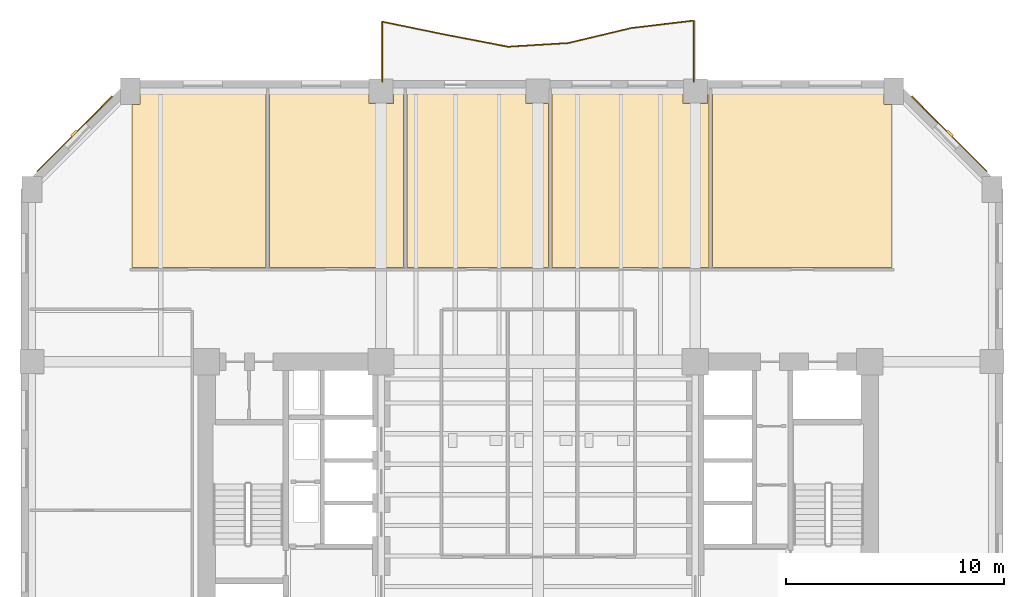
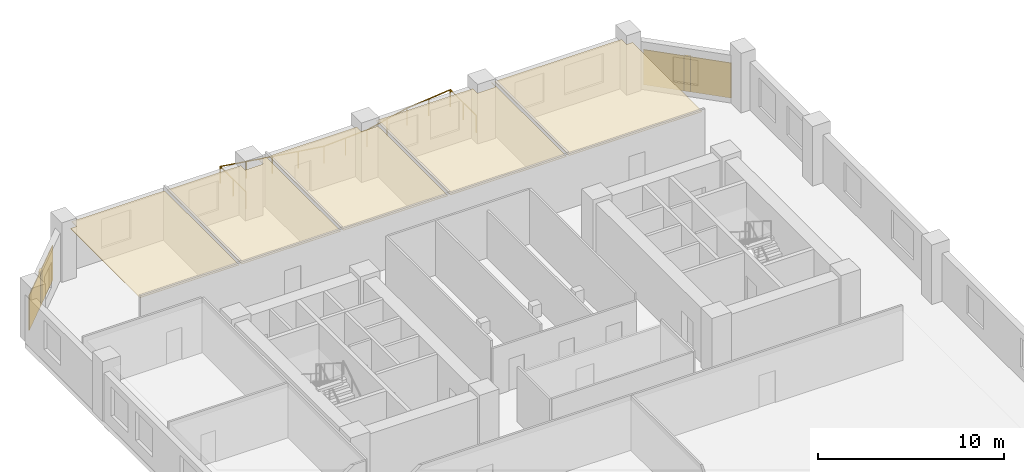
# One storey, part 9 of 10: 7 coverings, 2 shading devices, 1 railing.
"""IFC4 building model written with IfcOpenShell, lengths in metres."""

from ifc_helpers import new_model, si_unit, direction, frame, origin, origin_2d, place, context, subcontext, project, spatial, polyline, rectangle, circle, outline, extrude, material, layer, layer_set, type_object, element, save


model = new_model("IFC4")

# Units and contexts
model_context = context("Model", 3, precision=1e-05, world=origin(), true_north=direction((0.0, 1.0)))
body_context = subcontext(model_context, "Body", "Model", "MODEL_VIEW")
ifc_project = project(units=[si_unit("LENGTHUNIT", "METRE"), si_unit("AREAUNIT", "SQUARE_METRE"), si_unit("VOLUMEUNIT", "CUBIC_METRE"), si_unit("PLANEANGLEUNIT", "RADIAN"), si_unit("MASSUNIT", "GRAM", prefix="KILO")], contexts=[model_context])

# Site, building, storey
site_placement = place(None, origin())
site = spatial("IfcSite", under=ifc_project, at=site_placement, CompositionType="ELEMENT")
building_placement = place(site_placement, origin())
building = spatial("IfcBuilding", under=site, at=building_placement, Name="Kranthara Brick Stack", CompositionType="ELEMENT")
storey_placement = place(building_placement, frame((0.0, 0.0, 32.10009765625)))
storey = spatial("IfcBuildingStorey", under=building, at=storey_placement, Name="L07", CompositionType="ELEMENT", Elevation=32.10009765625)

# Coverings
ifc_material_1 = material(Name="Perforated mineral-fibre acoustic ceiling tile", Category="other")
ifc_layer_1 = layer(ifc_material_1, 0.02490234375)
ifc_layer_set_1 = layer_set([ifc_layer_1], Name="Perforated mineral-fibre acoustic ceiling tile")
covering_type_1 = type_object("IfcCoveringType", Name="COV-CEIL-ACOUSTIC", PredefinedType="CEILING", material=ifc_layer_set_1)
covering_1_placement = place(storey_placement, frame((0.0, 0.0, 3.329833984375)))
element("IfcCovering", 1, at=covering_1_placement, inside=storey, type_object=covering_type_1, Name="L07 L07 Executive Cellular Office 1 Acoustic Ceiling", PredefinedType="CEILING", context=body_context, shape_type="SweptSolid", body=[
    extrude(outline(polyline([(15.52001953125, 45.929931640625), (15.52001953125, 37.919921875), (9.3798828125, 37.919921875), (9.3798828125, 45.389892578125), (9.760009765625, 45.389892578125), (9.760009765625, 45.929931640625), (15.52001953125, 45.929931640625)])), origin(), (0.0, 0.0, 1.0), 0.025146484375),
])
covering_2_placement = place(storey_placement, frame((0.0, 0.0, 3.329833984375)))
element("IfcCovering", 2, at=covering_2_placement, inside=storey, type_object=covering_type_1, Name="L07 L07 Executive Cellular Office 2 Acoustic Ceiling", PredefinedType="CEILING", context=body_context, shape_type="SweptSolid", body=[
    extrude(outline(polyline([(21.820068359375, 45.929931640625), (21.820068359375, 37.919921875), (15.679931640625, 37.919921875), (15.679931640625, 45.929931640625), (20.239990234375, 45.929931640625), (20.239990234375, 45.43994140625), (21.360107421875, 45.43994140625), (21.360107421875, 45.929931640625), (21.820068359375, 45.929931640625)])), origin(), (0.0, 0.0, 1.0), 0.025146484375),
])
covering_3_placement = place(storey_placement, frame((0.0, 0.0, 3.329833984375)))
element("IfcCovering", 3, at=covering_3_placement, inside=storey, type_object=covering_type_1, Name="L07 L07 Executive Cellular Office 3 Acoustic Ceiling", PredefinedType="CEILING", context=body_context, shape_type="SweptSolid", body=[
    extrude(outline(polyline([(28.469970703125, 37.919921875), (21.97998046875, 37.919921875), (21.97998046875, 45.929931640625), (27.43994140625, 45.929931640625), (27.43994140625, 45.43994140625), (28.469970703125, 45.43994140625), (28.469970703125, 37.919921875)])), origin(), (0.0, 0.0, 1.0), 0.025146484375),
])
covering_4_placement = place(storey_placement, frame((0.0, 0.0, 3.329833984375)))
element("IfcCovering", 4, at=covering_4_placement, inside=storey, type_object=covering_type_1, Name="L07 L07 Meeting Room 4 Acoustic Ceiling", PredefinedType="CEILING", context=body_context, shape_type="SweptSolid", body=[
    extrude(outline(polyline([(35.820068359375, 45.929931640625), (35.820068359375, 37.919921875), (28.6298828125, 37.919921875), (28.6298828125, 45.929931640625), (34.639892578125, 45.929931640625), (34.639892578125, 45.43994140625), (35.760009765625, 45.43994140625), (35.760009765625, 45.929931640625), (35.820068359375, 45.929931640625)])), origin(), (0.0, 0.0, 1.0), 0.025146484375),
])
covering_5_placement = place(storey_placement, frame((0.0, 0.0, 3.329833984375)))
element("IfcCovering", 5, at=covering_5_placement, inside=storey, type_object=covering_type_1, Name="L07 L07 Staff Pantry 5 Acoustic Ceiling", PredefinedType="CEILING", context=body_context, shape_type="SweptSolid", body=[
    extrude(outline(polyline([(44.219970703125, 37.919921875), (35.97998046875, 37.919921875), (35.97998046875, 45.929931640625), (43.840087890625, 45.929931640625), (43.840087890625, 45.389892578125), (44.219970703125, 45.389892578125), (44.219970703125, 37.919921875)])), origin(), (0.0, 0.0, 1.0), 0.025146484375),
])
ifc_material_2 = material(Name="Warm buff kiln-fired brick slip rainscreen", Category="masonry")
ifc_layer_2 = layer(ifc_material_2, 0.044921875)
ifc_layer_set_2 = layer_set([ifc_layer_2], Name="Warm buff kiln-fired brick slip rainscreen")
covering_type_2 = type_object("IfcCoveringType", Name="COV-CLAD-BRICK", PredefinedType="CLADDING", material=ifc_layer_set_2)
for number, where, z_axis, x_axis, name in (
    (6, (6.756591796875, 44.04345703125, 0.0498046875), (0.0, 0.0, 1.0), (0.707106781187, 0.707106781187, 0.0), "L07 Chamfer Brick Rainscreen Cladding NW"),
    (7, (46.843505859375, 44.04345703125, 0.0498046875), (0.0, 0.0, 1.0), (0.707106781187, -0.707106781187, 0.0), "L07 Chamfer Brick Rainscreen Cladding NE"),
):
    element("IfcCovering", number, at=place(storey_placement, frame(where, z_axis=z_axis, x_axis=x_axis)), inside=storey, type_object=covering_type_2, Name=name, PredefinedType="CLADDING", context=body_context, shape_type="SweptSolid", body=[
        extrude(rectangle(XDim=4.876953125, YDim=0.044921875, at=origin_2d()), origin(), (0.0, 0.0, 1.0), 2.300048828125),
    ])

# Railing
ifc_material_3 = material(Name="Bronze anodised aluminium and laminated glass balustrade", Category="aluminium")
railing_type = type_object("IfcRailingType", Name="RL-BALC-1120", PredefinedType="BALUSTRADE", material=ifc_material_3)
railing_placement = place(storey_placement, frame((20.860107421875, 46.43994140625, 0.0)))
element("IfcRailing", 8, at=railing_placement, inside=storey, type_object=railing_type, Name="L07 North Rippling Balcony Balustrade", PredefinedType="BALUSTRADE", context=body_context, shape_type="SweptSolid", body=[
    extrude(circle(Radius=0.02392578125, at=origin_2d()), frame((0.0, 0.0, 1.09619140625), z_axis=(-0.000266595565, 0.999999964463, 0.0), x_axis=(-0.999999964463, -0.000266595565, 0.0)), (0.0, 0.0, 1.0), 2.747314453125),
    extrude(circle(Radius=0.02392578125, at=origin_2d()), frame((-0.000732421875, 2.747314453125, 1.09619140625), z_axis=(0.979489825591, -0.201493626607, 0.0), x_axis=(0.201493626607, 0.979489825591, 0.0)), (0.0, 0.0, 1.0), 2.940673828125),
    extrude(circle(Radius=0.02392578125, at=origin_2d()), frame((2.879638671875, 2.15478515625, 1.09619140625), z_axis=(0.982016539225, -0.188794906414, 0.0), x_axis=(0.188794906414, 0.982016539225, 0.0)), (0.0, 0.0, 1.0), 2.932861328125),
    extrude(circle(Radius=0.02392578125, at=origin_2d()), frame((5.759765625, 1.60107421875, 1.09619140625), z_axis=(0.998142883673, 0.060916202878, 0.0), x_axis=(-0.060916202878, 0.998142883673, 0.0)), (0.0, 0.0, 1.0), 2.765380859375),
    extrude(circle(Radius=0.02392578125, at=origin_2d()), frame((8.52001953125, 1.76953125, 1.09619140625), z_axis=(0.972704406869, 0.232047703842, 0.0), x_axis=(-0.232047703842, 0.972704406869, 0.0)), (0.0, 0.0, 1.0), 2.961669921875),
    extrude(circle(Radius=0.02392578125, at=origin_2d()), frame((11.40087890625, 2.456787109375, 1.09619140625), z_axis=(0.993029391631, 0.117866990105, 0.0), x_axis=(-0.117866990105, 0.993029391631, 0.0)), (0.0, 0.0, 1.0), 2.89990234375),
    extrude(circle(Radius=0.02392578125, at=origin_2d()), frame((14.280517578125, 2.798583984375, 1.09619140625), z_axis=(-0.000261711585, -0.999999965754, 0.0), x_axis=(0.999999965754, -0.000261711585, 0.0)), (0.0, 0.0, 1.0), 2.798583984375),
    extrude(circle(Radius=0.02099609375, at=origin_2d()), origin(), (0.0, 0.0, 1.0), 1.072021484375),
    extrude(circle(Radius=0.02099609375, at=origin_2d()), frame((-0.00048828125, 1.37353515625, 0.0)), (0.0, 0.0, 1.0), 1.072021484375),
    extrude(circle(Radius=0.02099609375, at=origin_2d()), frame((-0.000732421875, 2.747314453125, 0.0)), (0.0, 0.0, 1.0), 1.072021484375),
    extrude(circle(Radius=0.02099609375, at=origin_2d()), frame((1.439453125, 2.451171875, 0.0)), (0.0, 0.0, 1.0), 1.072021484375),
    extrude(circle(Radius=0.02099609375, at=origin_2d()), frame((2.879638671875, 2.15478515625, 0.0)), (0.0, 0.0, 1.0), 1.072021484375),
    extrude(circle(Radius=0.02099609375, at=origin_2d()), frame((4.31982421875, 1.8779296875, 0.0)), (0.0, 0.0, 1.0), 1.072021484375),
    extrude(circle(Radius=0.02099609375, at=origin_2d()), frame((5.759765625, 1.60107421875, 0.0)), (0.0, 0.0, 1.0), 1.072021484375),
    extrude(circle(Radius=0.02099609375, at=origin_2d()), frame((7.139892578125, 1.685302734375, 0.0)), (0.0, 0.0, 1.0), 1.072021484375),
    extrude(circle(Radius=0.02099609375, at=origin_2d()), frame((8.52001953125, 1.76953125, 0.0)), (0.0, 0.0, 1.0), 1.072021484375),
    extrude(circle(Radius=0.02099609375, at=origin_2d()), frame((9.96044921875, 2.11328125, 0.0)), (0.0, 0.0, 1.0), 1.072021484375),
    extrude(circle(Radius=0.02099609375, at=origin_2d()), frame((11.40087890625, 2.456787109375, 0.0)), (0.0, 0.0, 1.0), 1.072021484375),
    extrude(circle(Radius=0.02099609375, at=origin_2d()), frame((12.8408203125, 2.627685546875, 0.0)), (0.0, 0.0, 1.0), 1.072021484375),
    extrude(circle(Radius=0.02099609375, at=origin_2d()), frame((14.280517578125, 2.798583984375, 0.0)), (0.0, 0.0, 1.0), 1.072021484375),
    extrude(circle(Radius=0.02099609375, at=origin_2d()), frame((14.2802734375, 1.3994140625, 0.0)), (0.0, 0.0, 1.0), 1.072021484375),
    extrude(circle(Radius=0.02099609375, at=origin_2d()), frame((14.27978515625, 0.0, 0.0)), (0.0, 0.0, 1.0), 1.072021484375),
])

# Shading devices
ifc_material_4 = material(Name="Kiln-fired terracotta aerodynamic wind fin", Category="masonry")
shading_device_type = type_object("IfcShadingDeviceType", Name="SHD-BAFFLE-CORNER", PredefinedType="SHUTTER", material=ifc_material_4)
for number, where, z_axis, x_axis, name in (
    (9, (6.7353515625, 44.064697265625, 0.0498046875), (0.0, 0.0, 1.0), (0.707106781187, 0.707106781187, 0.0), "L07 Chamfer Wind-Baffle Fin NW"),
    (10, (46.86474609375, 44.064697265625, 0.0498046875), (0.0, 0.0, 1.0), (0.707106781187, -0.707106781187, 0.0), "L07 Chamfer Wind-Baffle Fin NE"),
):
    element("IfcShadingDevice", number, at=place(storey_placement, frame(where, z_axis=z_axis, x_axis=x_axis)), inside=storey, type_object=shading_device_type, Name=name, PredefinedType="SHUTTER", context=body_context, shape_type="SweptSolid", body=[
        extrude(rectangle(XDim=0.35009765625, YDim=0.1201171875, at=origin_2d()), origin(), (0.0, 0.0, 1.0), 2.300048828125),
    ])

save(model, "model.ifc")
